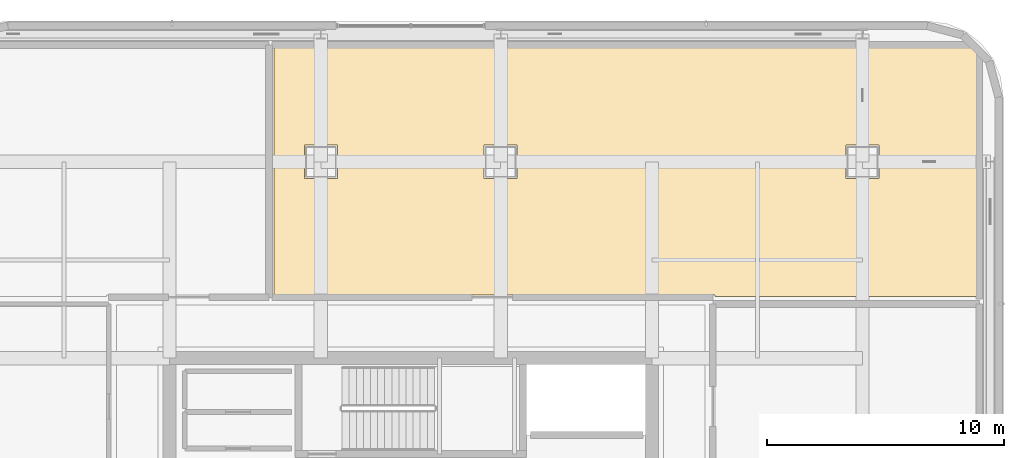
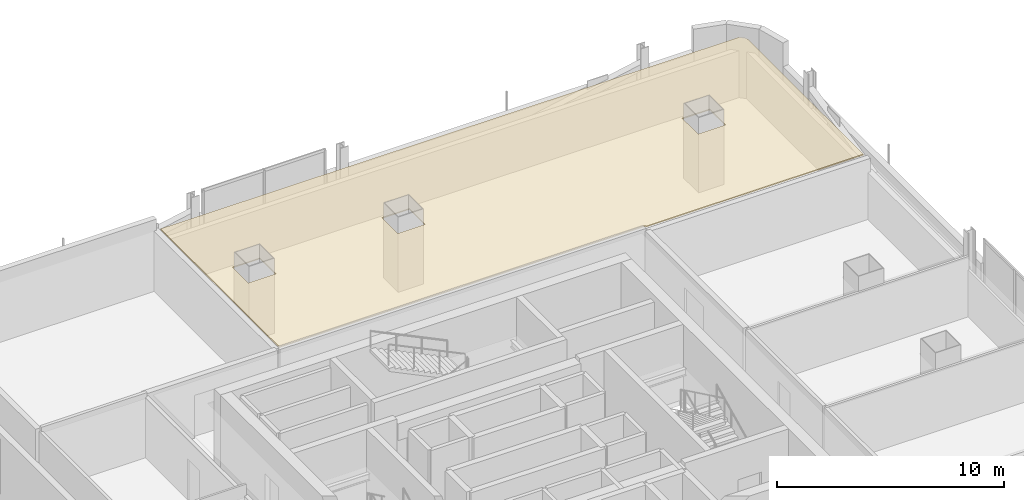
# One storey, part 29 of 30: 1 covering.
"""IFC4 building model written with IfcOpenShell, lengths in metres."""

import ifcopenshell
import ifcopenshell.guid

model = None  # the IFC model being written
_history = None  # IfcOwnerHistory: only IFC2X3 demands one
_inside = {}  # id of a spatial element -> (the spatial element, [elements in it])
_under = {}  # id of a project, library or spatial element -> (it, [spatial elements below it])
_declared = {}  # id of a project -> (the project, [libraries it declares])
_typed = {}  # id of a type object -> (the type object, [elements of that type])
_made_of = {}  # id of a material, layer set ... -> (it, [elements and type objects made of it])


def new_model(schema):
    """Start an empty IFC model of exactly this schema.

    Asked for "IFC4X3", IfcOpenShell would pick the latest addendum, in which some entities
    have other attributes; the version numbers below select the first issue.
    IFC2X3 requires an IfcOwnerHistory on every rooted entity: one is made here for all.
    """
    global model, _history
    if schema == "IFC4X3":
        model = ifcopenshell.file(schema_version=(4, 3, 0, 0))
    else:
        model = ifcopenshell.file(schema=schema)
    _inside.clear()
    _under.clear()
    _declared.clear()
    _typed.clear()
    _made_of.clear()
    _history = None
    if model.schema == "IFC2X3":
        org = make("IfcOrganization", Name="unknown")
        user = make(
            "IfcPersonAndOrganization",
            ThePerson=make("IfcPerson", FamilyName="unknown"),
            TheOrganization=org,
        )
        app = make(
            "IfcApplication",
            ApplicationDeveloper=org,
            Version="unknown",
            ApplicationFullName="unknown",
            ApplicationIdentifier="unknown",
        )
        _history = make(
            "IfcOwnerHistory",
            OwningUser=user,
            OwningApplication=app,
            ChangeAction="ADDED",
            CreationDate=0,
        )
    return model


def make(cls, **values):
    """One entity of the class cls with the attributes given. An attribute that is None is left unset."""
    return model.create_entity(
        cls, **{name: value for name, value in values.items() if value is not None}
    )


def rooted(cls, **values):
    """An entity with a GlobalId (a new one), such as an element, a storey or a relation."""
    return make(cls, GlobalId=ifcopenshell.guid.new(), OwnerHistory=_history, **values)


def si_unit(unit_type, name, prefix=None):
    """IfcSIUnit, for example si_unit("LENGTHUNIT", "METRE", prefix="MILLI")."""
    return make("IfcSIUnit", UnitType=unit_type, Prefix=prefix, Name=name)


def assignment(units):
    """IfcUnitAssignment: the units of a project."""
    return None if units is None else make("IfcUnitAssignment", Units=units)


def point(xyz):
    """IfcCartesianPoint."""
    return None if xyz is None else make("IfcCartesianPoint", Coordinates=xyz)


def direction(xyz):
    """IfcDirection."""
    return None if xyz is None else make("IfcDirection", DirectionRatios=xyz)


def frame(location, z_axis=None, x_axis=None):
    """IfcAxis2Placement3D, a coordinate frame: its origin and axes. An axis left out is left unset."""
    return make(
        "IfcAxis2Placement3D",
        Location=point(location),
        Axis=direction(z_axis),
        RefDirection=direction(x_axis),
    )


def origin():
    """The frame at (0, 0, 0) with its axes left unset."""
    return frame((0.0, 0.0, 0.0))


def place(relative_to, where):
    """IfcLocalPlacement: puts the frame where relative to a parent placement (None: the world)."""
    return make(
        "IfcLocalPlacement", PlacementRelTo=relative_to, RelativePlacement=where
    )


def context(
    kind, dimensions, precision=None, world=None, true_north=None, identifier=None
):
    """IfcGeometricRepresentationContext, for example the 3D "Model" context."""
    return make(
        "IfcGeometricRepresentationContext",
        ContextIdentifier=identifier,
        ContextType=kind,
        CoordinateSpaceDimension=dimensions,
        Precision=precision,
        WorldCoordinateSystem=world,
        TrueNorth=true_north,
    )


def subcontext(parent, identifier, kind, view, scale=None):
    """IfcGeometricRepresentationSubContext, for example "Body" below "Model"."""
    return make(
        "IfcGeometricRepresentationSubContext",
        ContextIdentifier=identifier,
        ContextType=kind,
        ParentContext=parent,
        TargetScale=scale,
        TargetView=view,
    )


def project(units=None, contexts=None):
    """IfcProject with its units and contexts."""
    return rooted(
        "IfcProject",
        Name="project",
        RepresentationContexts=contexts,
        UnitsInContext=assignment(units),
    )


def spatial(cls, under=None, at=None, **own):
    """A site, building, storey or space (cls), placed at a placement, below another one or the project."""
    s = rooted(cls, ObjectPlacement=at, **own)
    if under is not None:
        _under.setdefault(under.id(), (under, []))[1].append(s)
    return s


def polyline(points):
    """IfcPolyline through the points."""
    return make("IfcPolyline", Points=[point(p) for p in points])


def outline(outer, holes=None, kind="AREA"):
    """IfcArbitraryClosedProfileDef: a profile drawn as a closed curve; with holes, ...WithVoids."""
    if holes is None:
        return make("IfcArbitraryClosedProfileDef", ProfileType=kind, OuterCurve=outer)
    return make(
        "IfcArbitraryProfileDefWithVoids",
        ProfileType=kind,
        OuterCurve=outer,
        InnerCurves=holes,
    )


def extrude(swept, where, along, depth):
    """IfcExtrudedAreaSolid: the profile swept, set in the frame where, extruded along a direction by depth."""
    return make(
        "IfcExtrudedAreaSolid",
        SweptArea=swept,
        Position=where,
        ExtrudedDirection=direction(along),
        Depth=depth,
    )


def shape(context_of_items, identifier, shape_type, items):
    """IfcShapeRepresentation: the items that make up one representation, for example the "Body"."""
    return make(
        "IfcShapeRepresentation",
        ContextOfItems=context_of_items,
        RepresentationIdentifier=identifier,
        RepresentationType=shape_type,
        Items=items,
    )


def material(Name=None, Category=None):
    """IfcMaterial."""
    return make("IfcMaterial", Name=Name, Category=Category)


def layer(
    of_material, thickness, ventilated=None, Name=None, Category=None, Priority=None
):
    """IfcMaterialLayer: one layer of a wall or slab, of a material (None: an air gap)."""
    return make(
        "IfcMaterialLayer",
        Material=of_material,
        LayerThickness=thickness,
        IsVentilated=ventilated,
        Name=Name,
        Category=Category,
        Priority=Priority,
    )


def layer_set(layers, Name=None):
    """IfcMaterialLayerSet."""
    return make("IfcMaterialLayerSet", MaterialLayers=layers, LayerSetName=Name)


def made_of(thing, what):
    """Note that an element or type object is made of a material, layer set ...; save() writes the relation."""
    if what is not None:
        _made_of.setdefault(what.id(), (what, []))[1].append(thing)
    return thing


def type_object(cls, material=None, **own):
    """A type object (cls), such as IfcWallType, which elements share."""
    return made_of(rooted(cls, **own), material)


def element(
    cls,
    number,
    at=None,
    inside=None,
    cuts=None,
    type_object=None,
    material=None,
    context=None,
    identifier="Body",
    shape_type=None,
    held_by="IfcProductDefinitionShape",
    body=None,
    shapes=None,
    **own,
):
    """One element of the class cls, such as IfcWall. Its Tag is "e" and its number.

    at: its placement. inside: the storey or other place that contains it. cuts: it is an
    opening in that element (IfcRelVoidsElement). A single representation is given by context,
    identifier, shape_type and body (its items); several are given by shapes. held_by: the class
    of the entity that holds the representations. save() writes the other relations.
    """
    e = rooted(cls, Tag="e%d" % number, ObjectPlacement=at, **own)
    if body is not None:
        shapes = [shape(context, identifier, shape_type, body)]
    if shapes is not None:
        e.Representation = make(held_by, Representations=shapes)
    if inside is not None:
        _inside.setdefault(inside.id(), (inside, []))[1].append(e)
    if cuts is not None:
        rooted(
            "IfcRelVoidsElement", RelatingBuildingElement=cuts, RelatedOpeningElement=e
        )
    if type_object is not None:
        _typed.setdefault(type_object.id(), (type_object, []))[1].append(e)
    return made_of(e, material)


def aggregate(whole, parts):
    """IfcRelAggregates: a whole, such as a stair, and the parts it consists of."""
    return rooted("IfcRelAggregates", RelatingObject=whole, RelatedObjects=parts)


def save(model, path):
    """Write the relations noted so far, then the file.

    IfcRelAggregates (storeys below a building ...), IfcRelContainedInSpatialStructure (elements
    in a storey), IfcRelDefinesByType, IfcRelAssociatesMaterial and IfcRelDeclares: one each for
    every whole, place, type object, material and project.
    """
    for whole, parts in _under.values():
        aggregate(whole, parts)
    for where, things in _inside.values():
        rooted(
            "IfcRelContainedInSpatialStructure",
            RelatedElements=things,
            RelatingStructure=where,
        )
    for kind, things in _typed.values():
        rooted("IfcRelDefinesByType", RelatedObjects=things, RelatingType=kind)
    for what, things in _made_of.values():
        rooted("IfcRelAssociatesMaterial", RelatedObjects=things, RelatingMaterial=what)
    for by, libraries in _declared.values():
        rooted("IfcRelDeclares", RelatingContext=by, RelatedDefinitions=libraries)
    model.write(path)


model = new_model("IFC4")

# Units and contexts
model_context = context("Model", 3, precision=1e-05, world=origin(), true_north=direction((0.0, 1.0)))
body_context = subcontext(model_context, "Body", "Model", "MODEL_VIEW")
ifc_project = project(units=[si_unit("LENGTHUNIT", "METRE"), si_unit("AREAUNIT", "SQUARE_METRE"), si_unit("VOLUMEUNIT", "CUBIC_METRE"), si_unit("PLANEANGLEUNIT", "RADIAN"), si_unit("MASSUNIT", "GRAM", prefix="KILO")], contexts=[model_context])

# Site, building, storey
site_placement = place(None, origin())
site = spatial("IfcSite", under=ifc_project, at=site_placement, CompositionType="ELEMENT")
building_placement = place(site_placement, origin())
building = spatial("IfcBuilding", under=site, at=building_placement, Name="Punatoya Terracotta Tower", CompositionType="ELEMENT")
storey_placement = place(building_placement, frame((0.0, 0.0, 251.39990234375)))
storey = spatial("IfcBuildingStorey", under=building, at=storey_placement, Name="L59", CompositionType="ELEMENT", Elevation=251.39990234375)

# Covering
ifc_material = material(Name="Acoustic Mineral Fibre Ceiling")
ifc_layer = layer(ifc_material, 0.06005859375)
ifc_layer_set = layer_set([ifc_layer], Name="Acoustic Mineral Fibre Ceiling")
covering_type = type_object("IfcCoveringType", Name="COV-CEIL-60", PredefinedType="CEILING", material=ifc_layer_set)
covering_placement = place(storey_placement, frame((0.0, 0.0, 3.16015625)))
element("IfcCovering", 1, at=covering_placement, inside=storey, type_object=covering_type, Name="L59 Hospitality Hosting Lounge Acoustic Ceiling", PredefinedType="CEILING", context=body_context, shape_type="SweptSolid", body=[
    extrude(outline(polyline([(12.8701171875, 11.81005859375), (23.93994140625, 11.81005859375), (23.93994140625, 22.113525390625), (23.841796875, 22.24169921875), (23.713623046875, 22.340087890625), (-5.77392578125, 22.340087890625), (-5.77392578125, 11.8701171875), (12.8701171875, 11.8701171875), (12.8701171875, 11.81005859375)]), holes=[polyline([(19.800048828125, 18.199951171875), (19.800048828125, 16.800048828125), (18.39990234375, 16.800048828125), (18.39990234375, 18.199951171875), (19.800048828125, 18.199951171875)]), polyline([(4.5, 16.800048828125), (3.10009765625, 16.800048828125), (3.10009765625, 18.199951171875), (4.5, 18.199951171875), (4.5, 16.800048828125)]), polyline([(-4.5, 16.800048828125), (-4.5, 18.199951171875), (-3.10009765625, 18.199951171875), (-3.10009765625, 16.800048828125), (-4.5, 16.800048828125)])]), origin(), (0.0, 0.0, 1.0), 0.06005859375),
])

save(model, "model.ifc")
